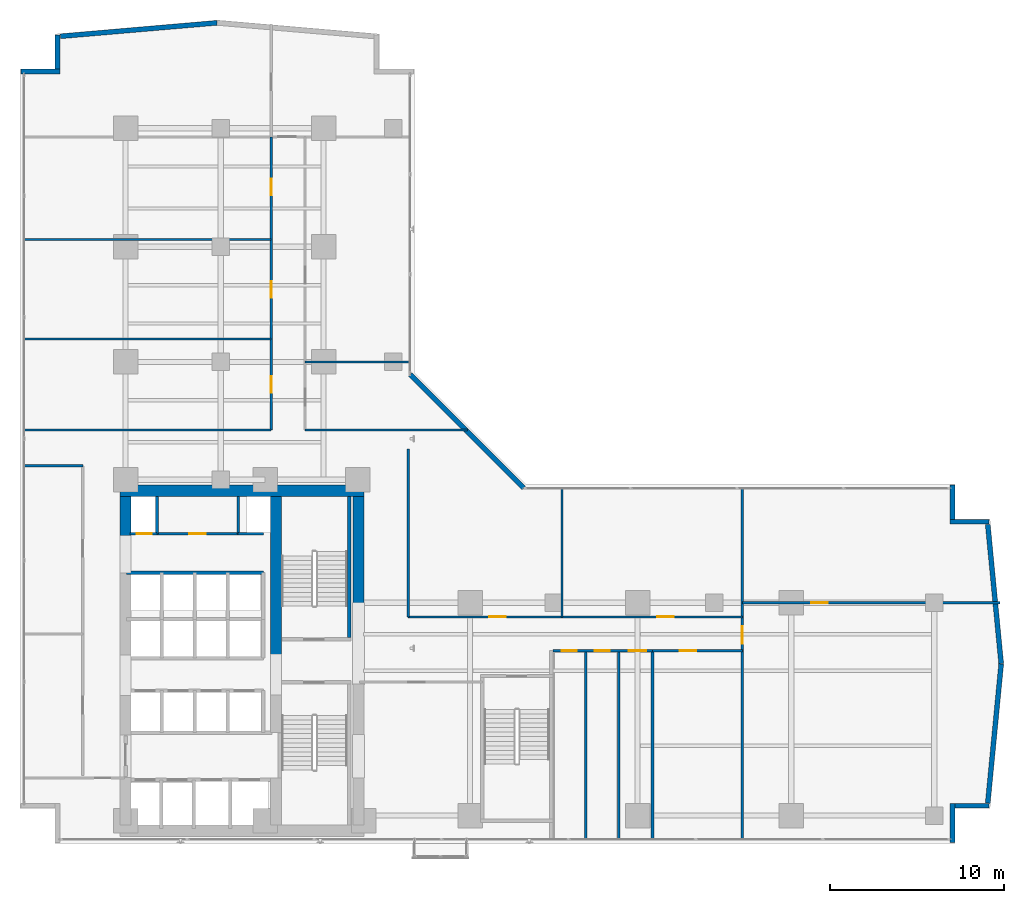
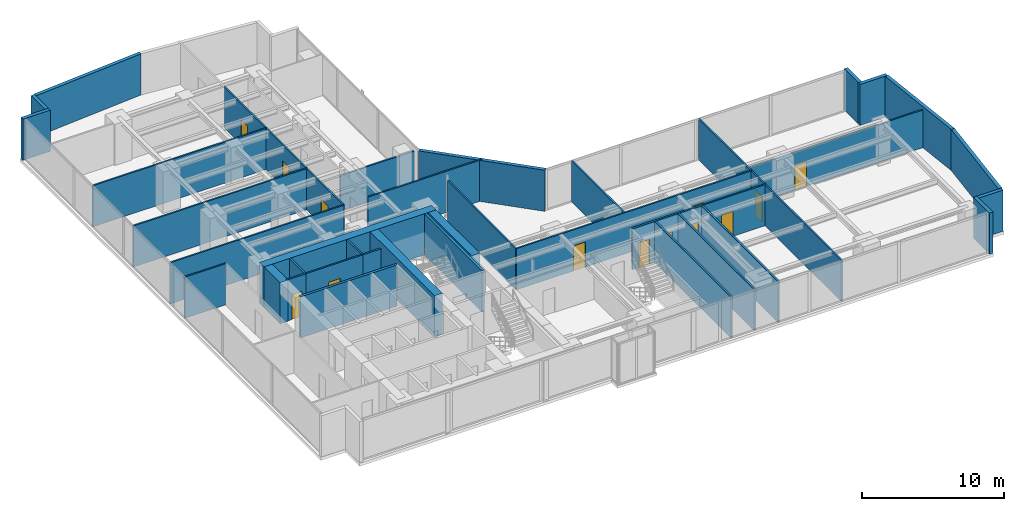
# One storey, part 20 of 24: 38 walls, 13 doors, 13 openings.
"""IFC4 building model written with IfcOpenShell, lengths in metres."""

from ifc_helpers import new_model, si_unit, direction, frame, frame_2d, origin, place, context, subcontext, project, spatial, rectangle, extrude, material, layer, layer_set, type_object, element, fill, save


model = new_model("IFC4")

# Units and contexts
model_context = context("Model", 3, precision=1e-05, world=origin(), true_north=direction((0.0, 1.0)))
body_context = subcontext(model_context, "Body", "Model", "MODEL_VIEW")
ifc_project = project(units=[si_unit("LENGTHUNIT", "METRE"), si_unit("AREAUNIT", "SQUARE_METRE"), si_unit("VOLUMEUNIT", "CUBIC_METRE"), si_unit("PLANEANGLEUNIT", "RADIAN"), si_unit("MASSUNIT", "GRAM", prefix="KILO")], contexts=[model_context])

# Site, building, storey
site_placement = place(None, origin())
site = spatial("IfcSite", under=ifc_project, at=site_placement, CompositionType="ELEMENT")
building_placement = place(site_placement, origin())
building = spatial("IfcBuilding", under=site, at=building_placement, Name="Kolvaren Waterfront Exchange", CompositionType="ELEMENT")
storey_placement = place(building_placement, frame((0.0, 0.0, 91.699951171875)))
storey = spatial("IfcBuildingStorey", under=building, at=storey_placement, Name="L23", CompositionType="ELEMENT", Elevation=91.699951171875)

# Walls
ifc_material_1 = material(Name="Precast concrete C40/50", Category="concrete")
ifc_layer_1 = layer(ifc_material_1, 0.280029296875, Name="Precast concrete C40/50")
ifc_layer_set_1 = layer_set([ifc_layer_1], Name="Precast concrete C40/50")
wall_type_1 = type_object("IfcWallType", Name="ARC-EXT-TERR-280", PredefinedType="SOLIDWALL", material=ifc_layer_set_1)
wall_1_placement = place(storey_placement, frame((54.840087890625, 3.659912109375, 0.0), z_axis=(0.0, 0.0, 1.0), x_axis=(0.0, 1.0, 0.0)))
element("IfcWall", 1, at=wall_1_placement, inside=storey, type_object=wall_type_1, Name="L23 notched corner spandrel pier SE-A", PredefinedType="SOLIDWALL", context=body_context, shape_type="SweptSolid", body=[
    extrude(rectangle(XDim=2.239990234375, YDim=0.280029296875, at=frame_2d((1.1201171875, 0.0))), origin(), (0.0, 0.0, 1.0), 3.5400390625),
])
wall_2_placement = place(storey_placement, frame((54.97998046875, 5.760009765625, 0.0), z_axis=(0.0, 0.0, 1.0), x_axis=(1.0, 0.0, 0.0)))
element("IfcWall", 2, at=wall_2_placement, inside=storey, type_object=wall_type_1, Name="L23 notched corner spandrel pier SE-B", PredefinedType="SOLIDWALL", context=body_context, shape_type="SweptSolid", body=[
    extrude(rectangle(XDim=1.9599609375, YDim=0.280029296875, at=frame_2d((0.97998046875, 0.0))), origin(), (0.0, 0.0, 1.0), 3.5400390625),
])
wall_3_placement = place(storey_placement, frame((54.840087890625, 22.1650390625, 0.0), z_axis=(0.0, 0.0, 1.0), x_axis=(0.0, 1.0, 0.0)))
element("IfcWall", 3, at=wall_3_placement, inside=storey, type_object=wall_type_1, Name="L23 notched corner spandrel pier ENE-A", PredefinedType="SOLIDWALL", context=body_context, shape_type="SweptSolid", body=[
    extrude(rectangle(XDim=1.974853515625, YDim=0.280029296875, at=frame_2d((0.9873046875, 0.0))), origin(), (0.0, 0.0, 1.0), 3.5400390625),
])
for number, where, z_axis, x_axis, name in (
    (4, (54.699951171875, 22.0400390625, 0.0), (0.0, 0.0, 1.0), (1.0, 0.0, 0.0), "L23 notched corner spandrel pier ENE-B"),
    (5, (1.4599609375, 47.840087890625, 0.0), (0.0, 0.0, 1.0), (1.0, 0.0, 0.0), "L23 notched corner spandrel pier NW-A"),
):
    element("IfcWall", number, at=place(storey_placement, frame(where, z_axis=z_axis, x_axis=x_axis)), inside=storey, type_object=wall_type_1, Name=name, PredefinedType="SOLIDWALL", context=body_context, shape_type="SweptSolid", body=[
        extrude(rectangle(XDim=2.239990234375, YDim=0.280029296875, at=frame_2d((1.1201171875, 0.0))), origin(), (0.0, 0.0, 1.0), 3.5400390625),
    ])
wall_4_placement = place(storey_placement, frame((3.56005859375, 47.97998046875, 0.0), z_axis=(0.0, 0.0, 1.0), x_axis=(0.0, 1.0, 0.0)))
element("IfcWall", 6, at=wall_4_placement, inside=storey, type_object=wall_type_1, Name="L23 notched corner spandrel pier NW-B", PredefinedType="SOLIDWALL", context=body_context, shape_type="SweptSolid", body=[
    extrude(rectangle(XDim=1.9599609375, YDim=0.280029296875, at=frame_2d((0.97998046875, 0.0))), origin(), (0.0, 0.0, 1.0), 3.5400390625),
])
wall_5_placement = place(storey_placement, frame((30.284912109375, 23.97509765625, 0.0), z_axis=(0.0, 0.0, 1.0), x_axis=(-0.707106781187, 0.707106781187, 0.0)))
element("IfcWall", 7, at=wall_5_placement, inside=storey, type_object=wall_type_1, Name="L23 notched corner spandrel pier ELBOW", PredefinedType="SOLIDWALL", context=body_context, shape_type="SweptSolid", body=[
    extrude(rectangle(XDim=9.20654296875, YDim=0.280029296875, at=frame_2d((4.603271484375, 0.0))), origin(), (0.0, 0.0, 1.0), 3.5400390625),
])
for number, where, z_axis, x_axis, name in (
    (8, (56.869384765625, 5.9140625, 0.0), (0.0, 0.0, 1.0), (0.095969995245, 0.995384227328, 0.0), "L23 east prow faceted facade wall 1"),
    (9, (57.638916015625, 13.904541015625, 0.0), (0.0, 0.0, 1.0), (-0.095969995245, 0.995384227328, 0.0), "L23 east prow faceted facade wall 2"),
):
    element("IfcWall", number, at=place(storey_placement, frame(where, z_axis=z_axis, x_axis=x_axis)), inside=storey, type_object=wall_type_1, Name=name, PredefinedType="SOLIDWALL", context=body_context, shape_type="SweptSolid", body=[
        extrude(rectangle(XDim=8.0185546875, YDim=0.280029296875, at=frame_2d((4.00927734375, 0.0))), origin(), (0.0, 0.0, 1.0), 3.5400390625),
    ])
wall_6_placement = place(storey_placement, frame((12.69384765625, 50.638916015625, 0.0), z_axis=(0.0, 0.0, 1.0), x_axis=(-0.996319339243, -0.085719159179, 0.0)))
element("IfcWall", 10, at=wall_6_placement, inside=storey, type_object=wall_type_1, Name="L23 north prow faceted facade wall 2", PredefinedType="SOLIDWALL", context=body_context, shape_type="SweptSolid", body=[
    extrude(rectangle(XDim=9.014404296875, YDim=0.280029296875, at=frame_2d((4.50732421875, 0.0))), origin(), (0.0, 0.0, 1.0), 3.5400390625),
])

# Wall, opening, door
ifc_material_2 = material(Name="Acoustic gypsum steel stud", Category="steel")
ifc_layer_2 = layer(ifc_material_2, 0.125, Name="Acoustic gypsum steel stud")
ifc_layer_set_2 = layer_set([ifc_layer_2], Name="Acoustic gypsum steel stud")
wall_type_2 = type_object("IfcWallType", Name="ARC-PART-125", PredefinedType="PARTITIONING", material=ifc_layer_set_2)
wall_7_placement = place(storey_placement, frame((9.25, 21.35009765625, 0.0), z_axis=(0.0, 0.0, 1.0), x_axis=(1.0, 0.0, 0.0)))
wall_7 = element("IfcWall", 11, at=wall_7_placement, inside=storey, type_object=wall_type_2, Name="L23 interior wall PW-L23-SVC-EX-S", PredefinedType="PARTITIONING", context=body_context, shape_type="SweptSolid", body=[
    extrude(rectangle(XDim=4.64990234375, YDim=0.125, at=frame_2d((2.324951171875, 0.0))), origin(), (0.0, 0.0, 1.0), 3.5400390625),
])
opening_1_placement = place(wall_7_placement, frame((1.85009765625, 0.0, 0.0)))
opening_1 = element("IfcOpeningElement", 12, at=opening_1_placement, cuts=wall_7, Name="Opening D02", PredefinedType="OPENING", context=body_context, shape_type="SweptSolid", body=[
    extrude(rectangle(XDim=0.949951171875, YDim=2.14990234375, at=frame_2d((0.47509765625, 1.074951171875))), frame((0.0, 0.072509765625, 0.0), z_axis=(0.0, -1.0, 0.0), x_axis=(1.0, 0.0, 0.0)), (0.0, 0.0, 1.0), 0.14501953125),
])
ifc_material_3 = material(Name="Oak veneer acoustic timber", Category="wood")
door_type_1 = type_object("IfcDoorType", Name="ARC-DR-950", OperationType="NOTDEFINED", PredefinedType="DOOR", material=ifc_material_3)
door_1_placement = place(opening_1_placement, origin())
door_1 = element("IfcDoor", 13, at=door_1_placement, inside=storey, type_object=door_type_1, Name="L23 door DR-L23-SVC-DR-1 (D02)", OperationType="SINGLE_SWING_RIGHT", OverallHeight=2.14990234375, OverallWidth=0.949951171875, PredefinedType="DOOR", context=body_context, shape_type="SweptSolid", body=[
    extrude(rectangle(XDim=0.949951171875, YDim=2.14990234375, at=frame_2d((0.47509765625, 1.074951171875))), frame((0.0, 0.02490234375, 0.0), z_axis=(0.0, -1.0, 0.0), x_axis=(1.0, 0.0, 0.0)), (0.0, 0.0, 1.0), 0.050048828125),
])
fill(opening_1, door_1)

# Wall
wall_8_placement = place(storey_placement, frame((1.639892578125, 25.25, 0.0), z_axis=(0.0, 0.0, 1.0), x_axis=(1.0, 0.0, 0.0)))
element("IfcWall", 14, at=wall_8_placement, inside=storey, type_object=wall_type_2, Name="L23 interior wall PW-L23-WFLANK-N", PredefinedType="PARTITIONING", context=body_context, shape_type="SweptSolid", body=[
    extrude(rectangle(XDim=3.360107421875, YDim=0.125, at=frame_2d((1.68017578125, 0.0))), origin(), (0.0, 0.0, 1.0), 3.5400390625),
])

# Wall, opening, door
wall_9_placement = place(storey_placement, frame((37.64990234375, 14.64990234375, 0.0), z_axis=(0.0, 0.0, 1.0), x_axis=(1.0, 0.0, 0.0)))
wall_9 = element("IfcWall", 15, at=wall_9_placement, inside=storey, type_object=wall_type_2, Name="L23 interior wall PW-L23-ES-CORR", PredefinedType="PARTITIONING", context=body_context, shape_type="SweptSolid", body=[
    extrude(rectangle(XDim=5.150146484375, YDim=0.125, at=frame_2d((2.5751953125, 0.0))), origin(), (0.0, 0.0, 1.0), 3.5400390625),
])
opening_2_placement = place(wall_9_placement, frame((1.552978515625, 0.0, 0.0)))
opening_2 = element("IfcOpeningElement", 16, at=opening_2_placement, cuts=wall_9, Name="Opening D02", PredefinedType="OPENING", context=body_context, shape_type="SweptSolid", body=[
    extrude(rectangle(XDim=0.949951171875, YDim=2.14990234375, at=frame_2d((0.47509765625, 1.074951171875))), frame((0.0, 0.072509765625, 0.0), z_axis=(0.0, -1.0, 0.0), x_axis=(1.0, 0.0, 0.0)), (0.0, 0.0, 1.0), 0.14501953125),
])
door_2_placement = place(opening_2_placement, origin())
door_2 = element("IfcDoor", 17, at=door_2_placement, inside=storey, type_object=door_type_1, Name="L23 door DR-L23-ES-D-1 (D02)", OperationType="SINGLE_SWING_RIGHT", OverallHeight=2.14990234375, OverallWidth=0.949951171875, PredefinedType="DOOR", context=body_context, shape_type="SweptSolid", body=[
    extrude(rectangle(XDim=0.949951171875, YDim=2.14990234375, at=frame_2d((0.47509765625, 1.074951171875))), frame((0.0, 0.02490234375, 0.0), z_axis=(0.0, -1.0, 0.0), x_axis=(1.0, 0.0, 0.0)), (0.0, 0.0, 1.0), 0.050048828125),
])
fill(opening_2, door_2)

wall_10_placement = place(storey_placement, frame((42.800048828125, 3.840087890625, 0.0), z_axis=(0.0, 0.0, 1.0), x_axis=(0.0, 1.0, 0.0)))
wall_10 = element("IfcWall", 18, at=wall_10_placement, inside=storey, type_object=wall_type_2, Name="L23 interior wall PW-L23-ETIP-W", PredefinedType="PARTITIONING", context=body_context, shape_type="SweptSolid", body=[
    extrude(rectangle(XDim=20.119873046875, YDim=0.125, at=frame_2d((10.06005859375, 0.0))), origin(), (0.0, 0.0, 1.0), 3.5400390625),
])
opening_3_placement = place(wall_10_placement, frame((11.2099609375, 0.0, 0.0)))
opening_3 = element("IfcOpeningElement", 19, at=opening_3_placement, cuts=wall_10, Name="Opening D03", PredefinedType="OPENING", context=body_context, shape_type="SweptSolid", body=[
    extrude(rectangle(XDim=1.0, YDim=2.199951171875, at=frame_2d((0.5, 1.10009765625))), frame((0.0, 0.072509765625, 0.0), z_axis=(0.0, -1.0, 0.0), x_axis=(1.0, 0.0, 0.0)), (0.0, 0.0, 1.0), 0.14501953125),
])
ifc_material_4 = material(Name="Oak veneer accessible timber", Category="wood")
door_type_2 = type_object("IfcDoorType", Name="ARC-DR-1000", OperationType="NOTDEFINED", PredefinedType="DOOR", material=ifc_material_4)
door_3_placement = place(opening_3_placement, origin())
door_3 = element("IfcDoor", 20, at=door_3_placement, inside=storey, type_object=door_type_2, Name="L23 door DR-L23-ETIP1-D (D03)", OperationType="SINGLE_SWING_LEFT", OverallHeight=2.199951171875, OverallWidth=1.0, PredefinedType="DOOR", context=body_context, shape_type="SweptSolid", body=[
    extrude(rectangle(XDim=1.0, YDim=2.199951171875, at=frame_2d((0.5, 1.10009765625))), frame((0.0, 0.02490234375, 0.0), z_axis=(0.0, -1.0, 0.0), x_axis=(1.0, 0.0, 0.0)), (0.0, 0.0, 1.0), 0.050048828125),
])
fill(opening_3, door_3)

wall_11_placement = place(storey_placement, frame((42.800048828125, 17.39990234375, 0.0), z_axis=(0.0, 0.0, 1.0), x_axis=(1.0, 0.0, 0.0)))
wall_11 = element("IfcWall", 21, at=wall_11_placement, inside=storey, type_object=wall_type_2, Name="L23 interior wall PW-L23-ETIP-MID", PredefinedType="PARTITIONING", context=body_context, shape_type="SweptSolid", body=[
    extrude(rectangle(XDim=14.760009765625, YDim=0.125, at=frame_2d((7.3798828125, 0.0))), origin(), (0.0, 0.0, 1.0), 3.239990234375),
])
opening_4_placement = place(wall_11_placement, frame((3.956298828125, 0.0, 0.0)))
opening_4 = element("IfcOpeningElement", 22, at=opening_4_placement, cuts=wall_11, Name="Opening D02", PredefinedType="OPENING", context=body_context, shape_type="SweptSolid", body=[
    extrude(rectangle(XDim=0.949951171875, YDim=2.14990234375, at=frame_2d((0.47509765625, 1.074951171875))), frame((0.0, 0.072509765625, 0.0), z_axis=(0.0, -1.0, 0.0), x_axis=(1.0, 0.0, 0.0)), (0.0, 0.0, 1.0), 0.14501953125),
])
door_4_placement = place(opening_4_placement, origin())
door_4 = element("IfcDoor", 23, at=door_4_placement, inside=storey, type_object=door_type_1, Name="L23 door DR-L23-ETIP2-D (D02)", OperationType="SINGLE_SWING_RIGHT", OverallHeight=2.14990234375, OverallWidth=0.949951171875, PredefinedType="DOOR", context=body_context, shape_type="SweptSolid", body=[
    extrude(rectangle(XDim=0.949951171875, YDim=2.14990234375, at=frame_2d((0.47509765625, 1.074951171875))), frame((0.0, 0.02490234375, 0.0), z_axis=(0.0, -1.0, 0.0), x_axis=(1.0, 0.0, 0.0)), (0.0, 0.0, 1.0), 0.050048828125),
])
fill(opening_4, door_4)

# Wall
wall_12_placement = place(storey_placement, frame((23.64990234375, 16.590087890625, 0.0), z_axis=(0.0, 0.0, 1.0), x_axis=(0.0, 1.0, 0.0)))
element("IfcWall", 24, at=wall_12_placement, inside=storey, type_object=wall_type_2, Name="L23 interior wall PW-L23-EN-W0", PredefinedType="PARTITIONING", context=body_context, shape_type="SweptSolid", body=[
    extrude(rectangle(XDim=9.60986328125, YDim=0.125, at=frame_2d((4.804931640625, 0.0))), origin(), (0.0, 0.0, 1.0), 3.5400390625),
])

# Wall, openings, doors
wall_13_placement = place(storey_placement, frame((23.64990234375, 16.590087890625, 0.0), z_axis=(0.0, 0.0, 1.0), x_axis=(1.0, 0.0, 0.0)))
wall_13 = element("IfcWall", 25, at=wall_13_placement, inside=storey, type_object=wall_type_2, Name="L23 interior wall PW-L23-EN-CORR", PredefinedType="PARTITIONING", context=body_context, shape_type="SweptSolid", body=[
    extrude(rectangle(XDim=19.150146484375, YDim=0.125, at=frame_2d((9.5751953125, 0.0))), origin(), (0.0, 0.0, 1.0), 3.5400390625),
])
opening_5_placement = place(wall_13_placement, frame((4.635986328125, 0.0, 0.0)))
opening_5 = element("IfcOpeningElement", 26, at=opening_5_placement, cuts=wall_13, Name="Opening D02", PredefinedType="OPENING", context=body_context, shape_type="SweptSolid", body=[
    extrude(rectangle(XDim=0.949951171875, YDim=2.14990234375, at=frame_2d((0.47509765625, 1.074951171875))), frame((0.0, 0.072509765625, 0.0), z_axis=(0.0, -1.0, 0.0), x_axis=(1.0, 0.0, 0.0)), (0.0, 0.0, 1.0), 0.14501953125),
])
opening_6_placement = place(wall_13_placement, frame((14.279541015625, 0.0, 0.0)))
opening_6 = element("IfcOpeningElement", 27, at=opening_6_placement, cuts=wall_13, Name="Opening D02", PredefinedType="OPENING", context=body_context, shape_type="SweptSolid", body=[
    extrude(rectangle(XDim=0.949951171875, YDim=2.14990234375, at=frame_2d((0.47509765625, 1.074951171875))), frame((0.0, 0.072509765625, 0.0), z_axis=(0.0, -1.0, 0.0), x_axis=(1.0, 0.0, 0.0)), (0.0, 0.0, 1.0), 0.14501953125),
])
door_5_placement = place(opening_5_placement, origin())
door_5 = element("IfcDoor", 28, at=door_5_placement, inside=storey, type_object=door_type_1, Name="L23 door DR-L23-EN-D-1 (D02)", OperationType="SINGLE_SWING_LEFT", OverallHeight=2.14990234375, OverallWidth=0.949951171875, PredefinedType="DOOR", context=body_context, shape_type="SweptSolid", body=[
    extrude(rectangle(XDim=0.949951171875, YDim=2.14990234375, at=frame_2d((0.47509765625, 1.074951171875))), frame((0.0, 0.02490234375, 0.0), z_axis=(0.0, -1.0, 0.0), x_axis=(1.0, 0.0, 0.0)), (0.0, 0.0, 1.0), 0.050048828125),
])
fill(opening_5, door_5)
door_6_placement = place(opening_6_placement, origin())
door_6 = element("IfcDoor", 29, at=door_6_placement, inside=storey, type_object=door_type_1, Name="L23 door DR-L23-EN-D-2 (D02)", OperationType="SINGLE_SWING_RIGHT", OverallHeight=2.14990234375, OverallWidth=0.949951171875, PredefinedType="DOOR", context=body_context, shape_type="SweptSolid", body=[
    extrude(rectangle(XDim=0.949951171875, YDim=2.14990234375, at=frame_2d((0.47509765625, 1.074951171875))), frame((0.0, 0.02490234375, 0.0), z_axis=(0.0, -1.0, 0.0), x_axis=(1.0, 0.0, 0.0)), (0.0, 0.0, 1.0), 0.050048828125),
])
fill(opening_6, door_6)

# Walls
wall_14_placement = place(storey_placement, frame((32.4599609375, 16.590087890625, 0.0), z_axis=(0.0, 0.0, 1.0), x_axis=(0.0, 1.0, 0.0)))
element("IfcWall", 30, at=wall_14_placement, inside=storey, type_object=wall_type_2, Name="L23 interior wall PW-L23-EN-DIV-1", PredefinedType="PARTITIONING", context=body_context, shape_type="SweptSolid", body=[
    extrude(rectangle(XDim=7.369873046875, YDim=0.125, at=frame_2d((3.68505859375, 0.0))), origin(), (0.0, 0.0, 1.0), 3.5400390625),
])
wall_15_placement = place(storey_placement, frame((1.639892578125, 27.300048828125, 0.0), z_axis=(0.0, 0.0, 1.0), x_axis=(1.0, 0.0, 0.0)))
element("IfcWall", 31, at=wall_15_placement, inside=storey, type_object=wall_type_2, Name="L23 interior wall PW-L23-NW-S0", PredefinedType="PARTITIONING", context=body_context, shape_type="SweptSolid", body=[
    extrude(rectangle(XDim=14.16015625, YDim=0.125, at=frame_2d((7.080078125, 0.0))), origin(), (0.0, 0.0, 1.0), 3.5400390625),
])

# Wall, openings, doors
wall_16_placement = place(storey_placement, frame((15.800048828125, 27.300048828125, 0.0), z_axis=(0.0, 0.0, 1.0), x_axis=(0.0, 1.0, 0.0)))
wall_16 = element("IfcWall", 32, at=wall_16_placement, inside=storey, type_object=wall_type_2, Name="L23 interior wall PW-L23-NW-CORR", PredefinedType="PARTITIONING", context=body_context, shape_type="SweptSolid", body=[
    extrude(rectangle(XDim=16.800048828125, YDim=0.125, at=frame_2d((8.39990234375, 0.0))), origin(), (0.0, 0.0, 1.0), 3.5400390625),
])
opening_7_placement = place(wall_16_placement, frame((2.1298828125, 0.0, 0.0)))
opening_7 = element("IfcOpeningElement", 33, at=opening_7_placement, cuts=wall_16, Name="Opening D02", PredefinedType="OPENING", context=body_context, shape_type="SweptSolid", body=[
    extrude(rectangle(XDim=0.949951171875, YDim=2.14990234375, at=frame_2d((0.47509765625, 1.074951171875))), frame((0.0, 0.072509765625, 0.0), z_axis=(0.0, -1.0, 0.0), x_axis=(1.0, 0.0, 0.0)), (0.0, 0.0, 1.0), 0.14501953125),
])
opening_8_placement = place(wall_16_placement, frame((7.590087890625, 0.0, 0.0)))
opening_8 = element("IfcOpeningElement", 34, at=opening_8_placement, cuts=wall_16, Name="Opening D02", PredefinedType="OPENING", context=body_context, shape_type="SweptSolid", body=[
    extrude(rectangle(XDim=0.949951171875, YDim=2.14990234375, at=frame_2d((0.47509765625, 1.074951171875))), frame((0.0, 0.072509765625, 0.0), z_axis=(0.0, -1.0, 0.0), x_axis=(1.0, 0.0, 0.0)), (0.0, 0.0, 1.0), 0.14501953125),
])
opening_9_placement = place(wall_16_placement, frame((13.456298828125, 0.0, 0.0)))
opening_9 = element("IfcOpeningElement", 35, at=opening_9_placement, cuts=wall_16, Name="Opening D02", PredefinedType="OPENING", context=body_context, shape_type="SweptSolid", body=[
    extrude(rectangle(XDim=0.949951171875, YDim=2.14990234375, at=frame_2d((0.47509765625, 1.074951171875))), frame((0.0, 0.072509765625, 0.0), z_axis=(0.0, -1.0, 0.0), x_axis=(1.0, 0.0, 0.0)), (0.0, 0.0, 1.0), 0.14501953125),
])
door_7_placement = place(opening_7_placement, origin())
door_7 = element("IfcDoor", 36, at=door_7_placement, inside=storey, type_object=door_type_1, Name="L23 door DR-L23-NW-D-1 (D02)", OperationType="SINGLE_SWING_LEFT", OverallHeight=2.14990234375, OverallWidth=0.949951171875, PredefinedType="DOOR", context=body_context, shape_type="SweptSolid", body=[
    extrude(rectangle(XDim=0.949951171875, YDim=2.14990234375, at=frame_2d((0.47509765625, 1.074951171875))), frame((0.0, 0.02490234375, 0.0), z_axis=(0.0, -1.0, 0.0), x_axis=(1.0, 0.0, 0.0)), (0.0, 0.0, 1.0), 0.050048828125),
])
fill(opening_7, door_7)
door_8_placement = place(opening_8_placement, origin())
door_8 = element("IfcDoor", 37, at=door_8_placement, inside=storey, type_object=door_type_1, Name="L23 door DR-L23-NW-D-2 (D02)", OperationType="SINGLE_SWING_RIGHT", OverallHeight=2.14990234375, OverallWidth=0.949951171875, PredefinedType="DOOR", context=body_context, shape_type="SweptSolid", body=[
    extrude(rectangle(XDim=0.949951171875, YDim=2.14990234375, at=frame_2d((0.47509765625, 1.074951171875))), frame((0.0, 0.02490234375, 0.0), z_axis=(0.0, -1.0, 0.0), x_axis=(1.0, 0.0, 0.0)), (0.0, 0.0, 1.0), 0.050048828125),
])
fill(opening_8, door_8)
door_9_placement = place(opening_9_placement, origin())
door_9 = element("IfcDoor", 38, at=door_9_placement, inside=storey, type_object=door_type_1, Name="L23 door DR-L23-NW-D-3 (D02)", OperationType="SINGLE_SWING_LEFT", OverallHeight=2.14990234375, OverallWidth=0.949951171875, PredefinedType="DOOR", context=body_context, shape_type="SweptSolid", body=[
    extrude(rectangle(XDim=0.949951171875, YDim=2.14990234375, at=frame_2d((0.47509765625, 1.074951171875))), frame((0.0, 0.02490234375, 0.0), z_axis=(0.0, -1.0, 0.0), x_axis=(1.0, 0.0, 0.0)), (0.0, 0.0, 1.0), 0.050048828125),
])
fill(opening_9, door_9)

# Walls
for number, where, z_axis, x_axis, name in (
    (39, (1.639892578125, 32.510009765625, 0.0), (0.0, 0.0, 1.0), (1.0, 0.0, 0.0), "L23 interior wall PW-L23-NW-DIV-1"),
    (40, (1.639892578125, 38.219970703125, 0.0), (0.0, 0.0, 1.0), (1.0, 0.0, 0.0), "L23 interior wall PW-L23-NW-DIV-2"),
):
    element("IfcWall", number, at=place(storey_placement, frame(where, z_axis=z_axis, x_axis=x_axis)), inside=storey, type_object=wall_type_2, Name=name, PredefinedType="PARTITIONING", context=body_context, shape_type="SweptSolid", body=[
        extrude(rectangle(XDim=14.16015625, YDim=0.125, at=frame_2d((7.080078125, 0.0))), origin(), (0.0, 0.0, 1.0), 3.5400390625),
    ])
wall_17_placement = place(storey_placement, frame((17.739990234375, 27.300048828125, 0.0), z_axis=(0.0, 0.0, 1.0), x_axis=(1.0, 0.0, 0.0)))
element("IfcWall", 41, at=wall_17_placement, inside=storey, type_object=wall_type_2, Name="L23 interior wall PW-L23-NE-S0", PredefinedType="PARTITIONING", context=body_context, shape_type="SweptSolid", body=[
    extrude(rectangle(XDim=9.320068359375, YDim=0.125, at=frame_2d((4.66015625, 0.0))), origin(), (0.0, 0.0, 1.0), 3.5400390625),
])
wall_18_placement = place(storey_placement, frame((17.739990234375, 31.199951171875, 0.0), z_axis=(0.0, 0.0, 1.0), x_axis=(1.0, 0.0, 0.0)))
element("IfcWall", 42, at=wall_18_placement, inside=storey, type_object=wall_type_2, Name="L23 interior wall PW-L23-NE-DIV-1", PredefinedType="PARTITIONING", context=body_context, shape_type="SweptSolid", body=[
    extrude(rectangle(XDim=6.02001953125, YDim=0.125, at=frame_2d((3.010009765625, 0.0))), origin(), (0.0, 0.0, 1.0), 3.0400390625),
])
ifc_material_5 = material(Name="Gypsum fireboard steel stud", Category="steel")
ifc_layer_3 = layer(ifc_material_5, 0.14990234375, Name="Gypsum fireboard steel stud")
ifc_layer_set_3 = layer_set([ifc_layer_3], Name="Gypsum fireboard steel stud")
wall_type_3 = type_object("IfcWallType", Name="ARC-PART-150", PredefinedType="PARTITIONING", material=ifc_layer_set_3)
for number, where, z_axis, x_axis, name in (
    (43, (9.25, 21.35009765625, 0.0), (0.0, 0.0, 1.0), (0.0, 1.0, 0.0), "L23 interior wall PW-L23-SVC-R1"),
    (44, (13.89990234375, 21.35009765625, 0.0), (0.0, 0.0, 1.0), (0.0, 1.0, 0.0), "L23 interior wall PW-L23-SVC-R2"),
):
    element("IfcWall", number, at=place(storey_placement, frame(where, z_axis=z_axis, x_axis=x_axis)), inside=storey, type_object=wall_type_3, Name=name, PredefinedType="PARTITIONING", context=body_context, shape_type="SweptSolid", body=[
        extrude(rectangle(XDim=2.1298828125, YDim=0.14990234375, at=frame_2d((1.06494140625, 0.0))), origin(), (0.0, 0.0, 1.0), 3.5400390625),
    ])

# Wall, opening, door
wall_19_placement = place(storey_placement, frame((7.699951171875, 21.35009765625, 0.0), z_axis=(0.0, 0.0, 1.0), x_axis=(1.0, 0.0, 0.0)))
wall_19 = element("IfcWall", 45, at=wall_19_placement, inside=storey, type_object=wall_type_3, Name="L23 interior wall PW-L23-SVC-RE-S", PredefinedType="PARTITIONING", context=body_context, shape_type="SweptSolid", body=[
    extrude(rectangle(XDim=1.550048828125, YDim=0.14990234375, at=frame_2d((0.77490234375, 0.0))), origin(), (0.0, 0.0, 1.0), 3.5400390625),
])
opening_10_placement = place(wall_19_placement, frame((0.389892578125, 0.0, 0.0)))
opening_10 = element("IfcOpeningElement", 46, at=opening_10_placement, cuts=wall_19, Name="Opening FD1", PredefinedType="OPENING", context=body_context, shape_type="SweptSolid", body=[
    extrude(rectangle(XDim=0.85009765625, YDim=2.14990234375, at=frame_2d((0.425048828125, 1.074951171875))), frame((0.0, 0.0849609375, 0.0), z_axis=(0.0, -1.0, 0.0), x_axis=(1.0, 0.0, 0.0)), (0.0, 0.0, 1.0), 0.169921875),
])
ifc_material_6 = material(Name="Pressed steel fire leaf", Category="steel")
door_type_3 = type_object("IfcDoorType", Name="ARC-FD-900", OperationType="NOTDEFINED", PredefinedType="DOOR", material=ifc_material_6)
door_10_placement = place(opening_10_placement, origin())
door_10 = element("IfcDoor", 47, at=door_10_placement, inside=storey, type_object=door_type_3, Name="L23 door DR-L23-RISER-E-DR (FD1)", OperationType="SINGLE_SWING_LEFT", OverallHeight=2.14990234375, OverallWidth=0.85009765625, PredefinedType="DOOR", context=body_context, shape_type="SweptSolid", body=[
    extrude(rectangle(XDim=0.85009765625, YDim=2.14990234375, at=frame_2d((0.425048828125, 1.074951171875))), frame((0.0, 0.02490234375, 0.0), z_axis=(0.0, -1.0, 0.0), x_axis=(1.0, 0.0, 0.0)), (0.0, 0.0, 1.0), 0.050048828125),
])
fill(opening_10, door_10)

# Wall
wall_20_placement = place(storey_placement, frame((13.89990234375, 21.35009765625, 0.0), z_axis=(0.0, 0.0, 1.0), x_axis=(1.0, 0.0, 0.0)))
element("IfcWall", 48, at=wall_20_placement, inside=storey, type_object=wall_type_3, Name="L23 interior wall PW-L23-SVC-RP-S", PredefinedType="PARTITIONING", context=body_context, shape_type="SweptSolid", body=[
    extrude(rectangle(XDim=1.4501953125, YDim=0.14990234375, at=frame_2d((0.72509765625, 0.0))), origin(), (0.0, 0.0, 1.0), 3.5400390625),
])

# Wall, openings, doors
ifc_material_7 = material(Name="Moisture-resistant gypsum stud")
ifc_layer_4 = layer(ifc_material_7, 0.14990234375, Name="Moisture-resistant gypsum stud")
ifc_layer_set_4 = layer_set([ifc_layer_4], Name="Moisture-resistant gypsum stud")
wall_type_4 = type_object("IfcWallType", Name="ARC-PLUMB-150", PredefinedType="PLUMBINGWALL", material=ifc_layer_set_4)
wall_21_placement = place(storey_placement, frame((31.949951171875, 14.64990234375, 0.0), z_axis=(0.0, 0.0, 1.0), x_axis=(1.0, 0.0, 0.0)))
wall_21 = element("IfcWall", 49, at=wall_21_placement, inside=storey, type_object=wall_type_4, Name="L23 interior wall PW-L23-WC-N", PredefinedType="PLUMBINGWALL", context=body_context, shape_type="SweptSolid", body=[
    extrude(rectangle(XDim=5.699951171875, YDim=0.14990234375, at=frame_2d((2.85009765625, 0.0))), origin(), (0.0, 0.0, 1.0), 3.5400390625),
])
opening_11_placement = place(wall_21_placement, frame((0.514892578125, 0.0, 0.0)))
opening_11 = element("IfcOpeningElement", 50, at=opening_11_placement, cuts=wall_21, Name="Opening D01", PredefinedType="OPENING", context=body_context, shape_type="SweptSolid", body=[
    extrude(rectangle(XDim=0.85009765625, YDim=2.14990234375, at=frame_2d((0.425048828125, 1.074951171875))), frame((0.0, 0.0849609375, 0.0), z_axis=(0.0, -1.0, 0.0), x_axis=(1.0, 0.0, 0.0)), (0.0, 0.0, 1.0), 0.169921875),
])
opening_12_placement = place(wall_21_placement, frame((2.39501953125, 0.0, 0.0)))
opening_12 = element("IfcOpeningElement", 51, at=opening_12_placement, cuts=wall_21, Name="Opening D01", PredefinedType="OPENING", context=body_context, shape_type="SweptSolid", body=[
    extrude(rectangle(XDim=0.85009765625, YDim=2.14990234375, at=frame_2d((0.425048828125, 1.074951171875))), frame((0.0, 0.0849609375, 0.0), z_axis=(0.0, -1.0, 0.0), x_axis=(1.0, 0.0, 0.0)), (0.0, 0.0, 1.0), 0.169921875),
])
opening_13_placement = place(wall_21_placement, frame((4.35009765625, 0.0, 0.0)))
opening_13 = element("IfcOpeningElement", 52, at=opening_13_placement, cuts=wall_21, Name="Opening D03", PredefinedType="OPENING", context=body_context, shape_type="SweptSolid", body=[
    extrude(rectangle(XDim=1.0, YDim=2.199951171875, at=frame_2d((0.5, 1.10009765625))), frame((0.0, 0.0849609375, 0.0), z_axis=(0.0, -1.0, 0.0), x_axis=(1.0, 0.0, 0.0)), (0.0, 0.0, 1.0), 0.169921875),
])
door_11_placement = place(opening_13_placement, origin())
door_11 = element("IfcDoor", 53, at=door_11_placement, inside=storey, type_object=door_type_2, Name="L23 door DR-L23-WCA-D (D03)", OperationType="SINGLE_SWING_LEFT", OverallHeight=2.199951171875, OverallWidth=1.0, PredefinedType="DOOR", context=body_context, shape_type="SweptSolid", body=[
    extrude(rectangle(XDim=1.0, YDim=2.199951171875, at=frame_2d((0.5, 1.10009765625))), frame((0.0, 0.02490234375, 0.0), z_axis=(0.0, -1.0, 0.0), x_axis=(1.0, 0.0, 0.0)), (0.0, 0.0, 1.0), 0.050048828125),
])
fill(opening_13, door_11)
ifc_material_8 = material(Name="Oak veneer timber leaf", Category="wood")
door_type_4 = type_object("IfcDoorType", Name="ARC-DR-900", OperationType="NOTDEFINED", PredefinedType="DOOR", material=ifc_material_8)
door_12_placement = place(opening_11_placement, origin())
door_12 = element("IfcDoor", 54, at=door_12_placement, inside=storey, type_object=door_type_4, Name="L23 door DR-L23-WCM-D (D01)", OperationType="SINGLE_SWING_LEFT", OverallHeight=2.14990234375, OverallWidth=0.85009765625, PredefinedType="DOOR", context=body_context, shape_type="SweptSolid", body=[
    extrude(rectangle(XDim=0.85009765625, YDim=2.14990234375, at=frame_2d((0.425048828125, 1.074951171875))), frame((0.0, 0.02490234375, 0.0), z_axis=(0.0, -1.0, 0.0), x_axis=(1.0, 0.0, 0.0)), (0.0, 0.0, 1.0), 0.050048828125),
])
fill(opening_11, door_12)
door_13_placement = place(opening_12_placement, origin())
door_13 = element("IfcDoor", 55, at=door_13_placement, inside=storey, type_object=door_type_4, Name="L23 door DR-L23-WCF-D (D01)", OperationType="SINGLE_SWING_RIGHT", OverallHeight=2.14990234375, OverallWidth=0.85009765625, PredefinedType="DOOR", context=body_context, shape_type="SweptSolid", body=[
    extrude(rectangle(XDim=0.85009765625, YDim=2.14990234375, at=frame_2d((0.425048828125, 1.074951171875))), frame((0.0, 0.02490234375, 0.0), z_axis=(0.0, -1.0, 0.0), x_axis=(1.0, 0.0, 0.0)), (0.0, 0.0, 1.0), 0.050048828125),
])
fill(opening_12, door_13)

# Walls
for number, where, z_axis, x_axis, name in (
    (56, (33.830078125, 3.840087890625, 0.0), (0.0, 0.0, 1.0), (0.0, 1.0, 0.0), "L23 interior wall PW-L23-WC-1"),
    (57, (35.7099609375, 3.840087890625, 0.0), (0.0, 0.0, 1.0), (0.0, 1.0, 0.0), "L23 interior wall PW-L23-WC-2"),
    (58, (37.64990234375, 3.840087890625, 0.0), (0.0, 0.0, 1.0), (0.0, 1.0, 0.0), "L23 interior wall PW-L23-WC-3"),
):
    element("IfcWall", number, at=place(storey_placement, frame(where, z_axis=z_axis, x_axis=x_axis)), inside=storey, type_object=wall_type_4, Name=name, PredefinedType="PLUMBINGWALL", context=body_context, shape_type="SweptSolid", body=[
        extrude(rectangle(XDim=10.809814453125, YDim=0.14990234375, at=frame_2d((5.40478515625, 0.0))), origin(), (0.0, 0.0, 1.0), 3.5400390625),
    ])
ifc_material_9 = material(Name="Concrete C40/50", Category="concrete")
ifc_layer_5 = layer(ifc_material_9, 0.199951171875, Name="Concrete C40/50")
ifc_layer_set_5 = layer_set([ifc_layer_5], Name="Concrete C40/50")
wall_type_5 = type_object("IfcWallType", Name="ARC-SHAFT-200", PredefinedType="PARTITIONING", material=ifc_layer_set_5)
wall_22_placement = place(storey_placement, frame((20.260009765625, 15.39990234375, 0.0), z_axis=(0.0, 0.0, 1.0), x_axis=(0.0, 1.0, 0.0)))
element("IfcWall", 59, at=wall_22_placement, inside=storey, type_object=wall_type_5, Name="L23 structural stairwell wall PW-L23-ST2-E", PredefinedType="SHEAR", context=body_context, shape_type="SweptSolid", body=[
    extrude(rectangle(XDim=8.090087890625, YDim=0.199951171875, at=frame_2d((4.044921875, 0.0))), origin(), (0.0, 0.0, 1.0), 3.5400390625),
])
wall_23_placement = place(storey_placement, frame((7.5, 19.1201171875, 0.0), z_axis=(0.0, 0.0, 1.0), x_axis=(1.0, 0.0, 0.0)))
element("IfcWall", 60, at=wall_23_placement, inside=storey, type_object=wall_type_5, Name="L23 interior wall PW-L23-PH-N", PredefinedType="PARTITIONING", context=body_context, shape_type="SweptSolid", body=[
    extrude(rectangle(XDim=7.85009765625, YDim=0.199951171875, at=frame_2d((3.925048828125, 0.0))), origin(), (0.0, 0.0, 1.0), 3.5400390625),
])
ifc_material_10 = material(Name="Concrete C60/75", Category="concrete")
ifc_layer_6 = layer(ifc_material_10, 0.64990234375, Name="Concrete C60/75")
ifc_layer_set_6 = layer_set([ifc_layer_6], Name="Concrete C60/75")
wall_type_6 = type_object("IfcWallType", Name="STR-CWALL-650", PredefinedType="SHEAR", material=ifc_layer_set_6)
wall_24_placement = place(storey_placement, frame((7.125, 23.824951171875, 0.0), z_axis=(0.0, 0.0, 1.0), x_axis=(1.0, 0.0, 0.0)))
element("IfcWall", 61, at=wall_24_placement, inside=storey, type_object=wall_type_6, Name="L23 rear-core shear wall N", PredefinedType="SHEAR", context=body_context, shape_type="SweptSolid", body=[
    extrude(rectangle(XDim=14.0, YDim=0.64990234375, at=frame_2d((7.0, 0.0))), origin(), (0.0, 0.0, 1.0), 3.5400390625),
])
wall_25_placement = place(storey_placement, frame((7.449951171875, 21.239990234375, 0.0), z_axis=(0.0, 0.0, 1.0), x_axis=(0.0, 1.0, 0.0)))
element("IfcWall", 62, at=wall_25_placement, inside=storey, type_object=wall_type_6, Name="L23 rear-core shear wall W3", PredefinedType="SHEAR", context=body_context, shape_type="SweptSolid", body=[
    extrude(rectangle(XDim=2.260009765625, YDim=0.64990234375, at=frame_2d((1.1298828125, 0.0))), origin(), (0.0, 0.0, 1.0), 3.5400390625),
])
wall_26_placement = place(storey_placement, frame((20.800048828125, 17.35009765625, 0.0), z_axis=(0.0, 0.0, 1.0), x_axis=(0.0, 1.0, 0.0)))
element("IfcWall", 63, at=wall_26_placement, inside=storey, type_object=wall_type_6, Name="L23 rear-core shear wall E3", PredefinedType="SHEAR", context=body_context, shape_type="SweptSolid", body=[
    extrude(rectangle(XDim=6.14990234375, YDim=0.64990234375, at=frame_2d((3.074951171875, 0.0))), origin(), (0.0, 0.0, 1.0), 3.5400390625),
])
wall_27_placement = place(storey_placement, frame((16.074951171875, 14.39990234375, 0.0), z_axis=(0.0, 0.0, 1.0), x_axis=(0.0, 1.0, 0.0)))
element("IfcWall", 64, at=wall_27_placement, inside=storey, type_object=wall_type_6, Name="L23 rear-core shear wall M3", PredefinedType="SHEAR", context=body_context, shape_type="SweptSolid", body=[
    extrude(rectangle(XDim=9.10009765625, YDim=0.64990234375, at=frame_2d((4.550048828125, 0.0))), origin(), (0.0, 0.0, 1.0), 3.5400390625),
])

save(model, "model.ifc")
